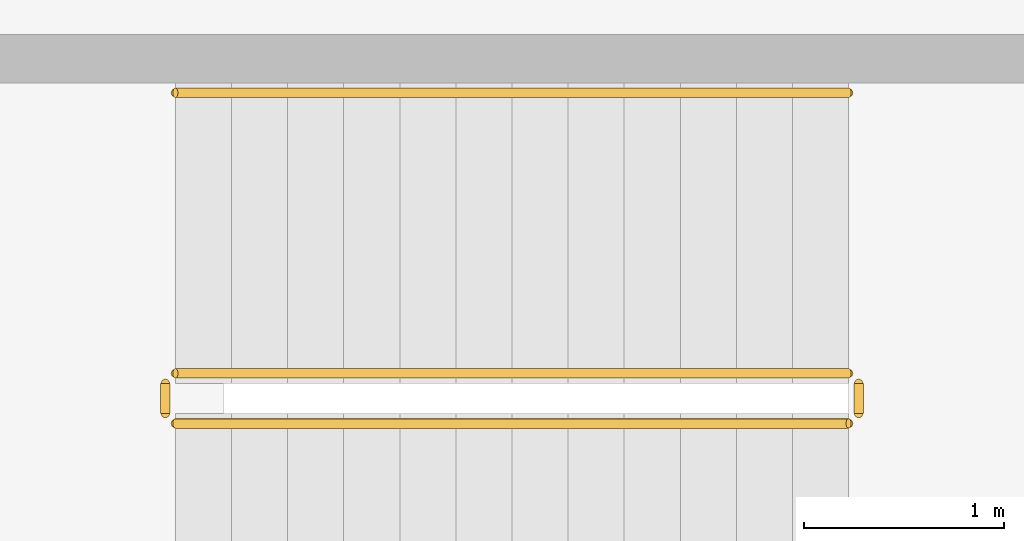
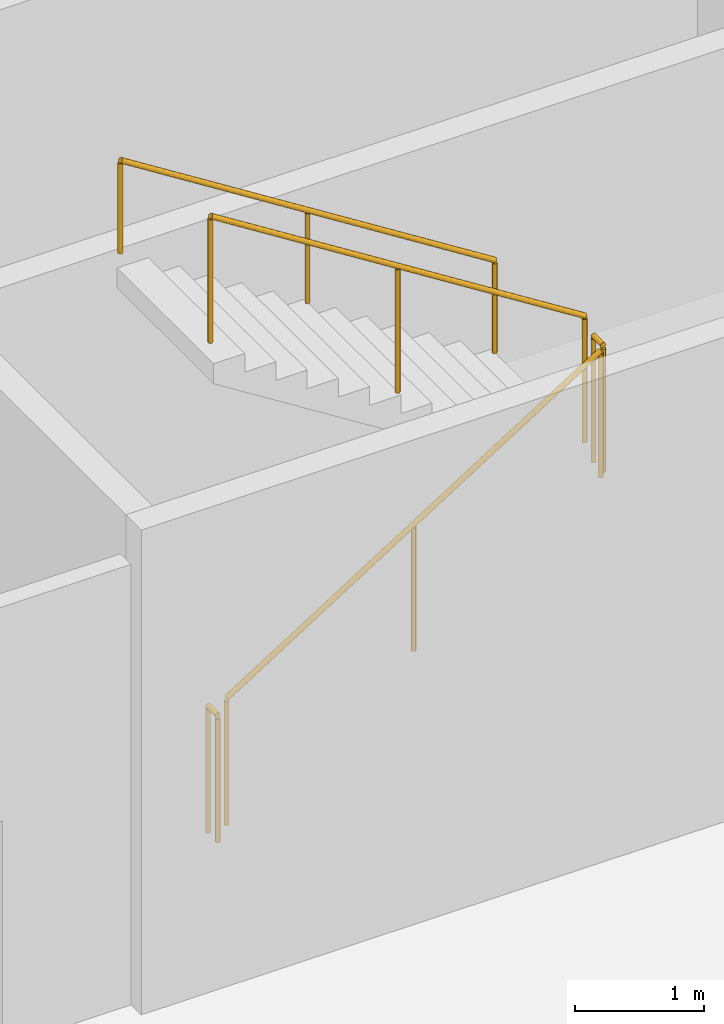
# One storey, part 7 of 8: 5 railings.
"""IFC4 building model written with IfcOpenShell, lengths in metres."""

from ifc_helpers import new_model, si_unit, direction, frame, origin, origin_2d, place, context, subcontext, project, spatial, circle, extrude, material, type_object, element, save


model = new_model("IFC4")

# Units and contexts
model_context = context("Model", 3, precision=1e-05, world=origin(), true_north=direction((0.0, 1.0)))
body_context = subcontext(model_context, "Body", "Model", "MODEL_VIEW")
ifc_project = project(units=[si_unit("LENGTHUNIT", "METRE"), si_unit("AREAUNIT", "SQUARE_METRE"), si_unit("VOLUMEUNIT", "CUBIC_METRE"), si_unit("PLANEANGLEUNIT", "RADIAN"), si_unit("MASSUNIT", "GRAM", prefix="KILO")], contexts=[model_context])

# Site, building, storey
site_placement = place(None, origin())
site = spatial("IfcSite", under=ifc_project, at=site_placement, CompositionType="ELEMENT")
building_placement = place(site_placement, origin())
building = spatial("IfcBuilding", under=site, at=building_placement, Name="Qianrong Seaharbour Tower", CompositionType="ELEMENT")
storey_placement = place(building_placement, frame((0.0, 0.0, -4.60009765625)))
storey = spatial("IfcBuildingStorey", under=building, at=storey_placement, Name="B01", CompositionType="ELEMENT", Elevation=-4.60009765625)

# Railings
ifc_material_1 = material(Name="Galvanized painted steel SN400B stair guard", Category="steel")
railing_type_1 = type_object("IfcRailingType", Name="RAIL-STAIR-GUARD-1220", PredefinedType="GUARDRAIL", material=ifc_material_1)
railing_1_placement = place(storey_placement, frame((33.300048828125, 45.64990234375, 0.177001953125)))
element("IfcRailing", 1, at=railing_1_placement, inside=storey, type_object=railing_type_1, Name="B01 BST-1 stair guard 1", PredefinedType="GUARDRAIL", context=body_context, shape_type="SweptSolid", body=[
    extrude(circle(Radius=0.02392578125, at=origin_2d()), frame((0.0, 0.0, 1.19580078125), z_axis=(0.845372108799, 0.0, 0.534177870812), x_axis=(0.0, 1.0, 0.0)), (0.0, 0.0, 1.0), 3.974365234375),
    extrude(circle(Radius=0.02099609375, at=origin_2d()), origin(), (0.0, 0.0, 1.0), 1.171875),
    extrude(circle(Radius=0.02099609375, at=origin_2d()), frame((1.679931640625, 0.0, 1.0615234375)), (0.0, 0.0, 1.0), 1.171875),
    extrude(circle(Radius=0.02099609375, at=origin_2d()), frame((3.35986328125, 0.0, 2.123046875)), (0.0, 0.0, 1.0), 1.171875),
])
railing_2_placement = place(storey_placement, frame((36.7099609375, 45.699951171875, 2.300048828125)))
element("IfcRailing", 2, at=railing_2_placement, inside=storey, type_object=railing_type_1, Name="B01 BST-1 stair guard 2", PredefinedType="GUARDRAIL", context=body_context, shape_type="SweptSolid", body=[
    extrude(circle(Radius=0.02392578125, at=origin_2d()), frame((0.0, 0.0, 1.19580078125), z_axis=(0.0, 1.0, 0.0), x_axis=(-1.0, 0.0, 0.0)), (0.0, 0.0, 1.0), 0.150146484375),
    extrude(circle(Radius=0.02099609375, at=origin_2d()), origin(), (0.0, 0.0, 1.0), 1.171875),
    extrude(circle(Radius=0.02099609375, at=origin_2d()), frame((0.0, 0.150146484375, 0.0)), (0.0, 0.0, 1.0), 1.171875),
])
railing_3_placement = place(storey_placement, frame((36.659912109375, 45.89990234375, 2.47705078125)))
element("IfcRailing", 3, at=railing_3_placement, inside=storey, type_object=railing_type_1, Name="B01 BST-1 stair guard 3", PredefinedType="GUARDRAIL", context=body_context, shape_type="SweptSolid", body=[
    extrude(circle(Radius=0.02392578125, at=origin_2d()), frame((0.0, 0.0, 1.19580078125), z_axis=(-0.845372108799, 0.0, 0.534177870812), x_axis=(0.0, -1.0, 0.0)), (0.0, 0.0, 1.0), 3.974365234375),
    extrude(circle(Radius=0.02099609375, at=origin_2d()), origin(), (0.0, 0.0, 1.0), 1.171875),
    extrude(circle(Radius=0.02099609375, at=origin_2d()), frame((-1.679931640625, 0.0, 1.0615234375)), (0.0, 0.0, 1.0), 1.171875),
    extrude(circle(Radius=0.02099609375, at=origin_2d()), frame((-3.35986328125, 0.0, 2.123046875)), (0.0, 0.0, 1.0), 1.171875),
])
railing_4_placement = place(storey_placement, frame((33.25, 45.699951171875, 0.0)))
element("IfcRailing", 4, at=railing_4_placement, inside=storey, type_object=railing_type_1, Name="B01 BST-1 stair guard 4", PredefinedType="GUARDRAIL", context=body_context, shape_type="SweptSolid", body=[
    extrude(circle(Radius=0.02392578125, at=origin_2d()), frame((0.0, 0.0, 1.19580078125), z_axis=(0.0, 1.0, 0.0), x_axis=(-1.0, 0.0, 0.0)), (0.0, 0.0, 1.0), 0.150146484375),
    extrude(circle(Radius=0.02099609375, at=origin_2d()), origin(), (0.0, 0.0, 1.0), 1.171875),
    extrude(circle(Radius=0.02099609375, at=origin_2d()), frame((0.0, 0.150146484375, 0.0)), (0.0, 0.0, 1.0), 1.171875),
])
ifc_material_2 = material(Name="Stainless steel SUS316L continuous handrail", Category="steel")
railing_type_2 = type_object("IfcRailingType", Name="RAIL-STAIR-HANDRAIL-900", PredefinedType="HANDRAIL", material=ifc_material_2)
railing_5_placement = place(storey_placement, frame((36.659912109375, 47.300048828125, 2.47705078125)))
element("IfcRailing", 5, at=railing_5_placement, inside=storey, type_object=railing_type_2, Name="B01 BST-1 stair handrail 2", PredefinedType="HANDRAIL", context=body_context, shape_type="SweptSolid", body=[
    extrude(circle(Radius=0.02392578125, at=origin_2d()), frame((0.0, 0.0, 0.8759765625), z_axis=(-0.845372108799, 0.0, 0.534177870812), x_axis=(0.0, -1.0, 0.0)), (0.0, 0.0, 1.0), 3.974365234375),
    extrude(circle(Radius=0.02099609375, at=origin_2d()), origin(), (0.0, 0.0, 1.0), 0.851806640625),
    extrude(circle(Radius=0.02099609375, at=origin_2d()), frame((-1.679931640625, 0.0, 1.0615234375)), (0.0, 0.0, 1.0), 0.851806640625),
    extrude(circle(Radius=0.02099609375, at=origin_2d()), frame((-3.35986328125, 0.0, 2.123046875)), (0.0, 0.0, 1.0), 0.851806640625),
])

save(model, "model.ifc")
